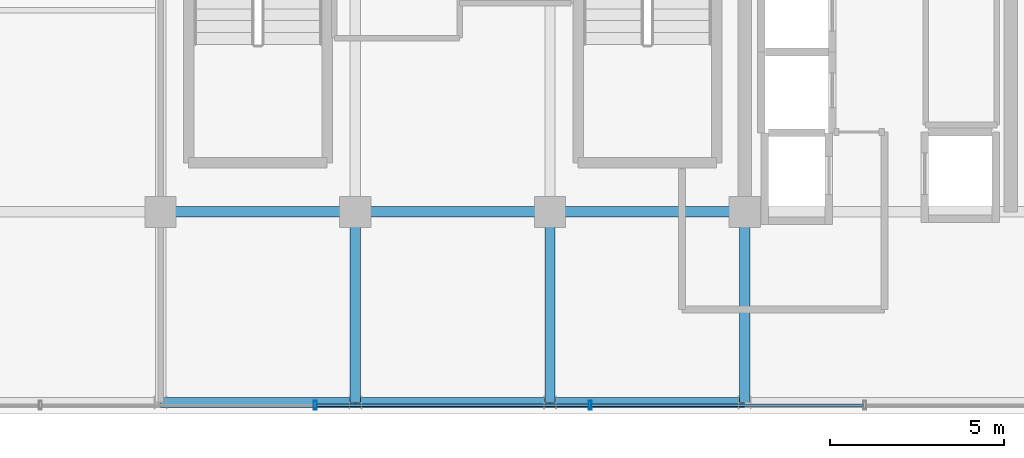
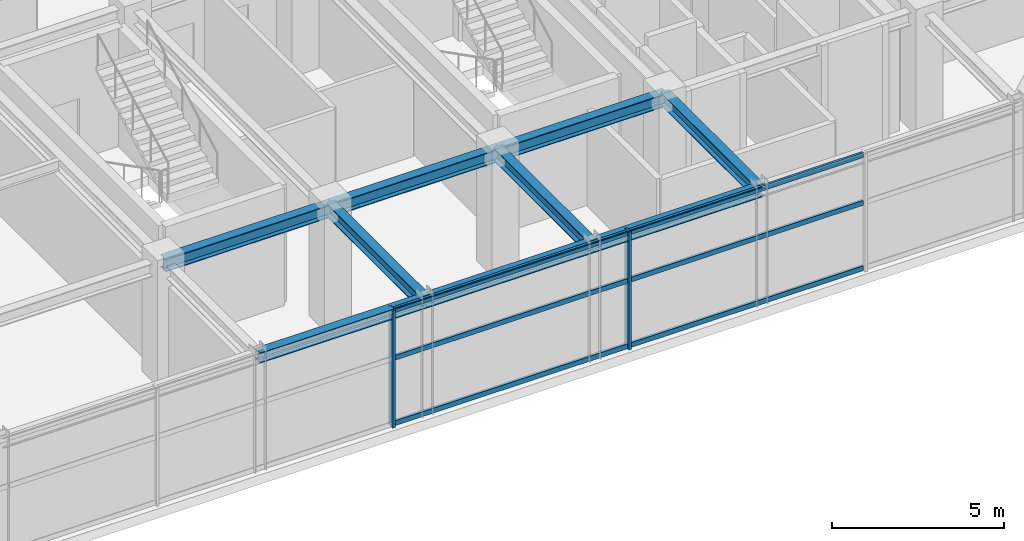
# One storey, part 6 of 20: 9 beams, 8 members, 1 element without a shape of its own.
"""IFC4 building model written with IfcOpenShell, lengths in metres."""

import ifcopenshell
import ifcopenshell.guid

model = None  # the IFC model being written
_history = None  # IfcOwnerHistory: only IFC2X3 demands one
_inside = {}  # id of a spatial element -> (the spatial element, [elements in it])
_under = {}  # id of a project, library or spatial element -> (it, [spatial elements below it])
_declared = {}  # id of a project -> (the project, [libraries it declares])
_typed = {}  # id of a type object -> (the type object, [elements of that type])
_made_of = {}  # id of a material, layer set ... -> (it, [elements and type objects made of it])


def new_model(schema):
    """Start an empty IFC model of exactly this schema.

    Asked for "IFC4X3", IfcOpenShell would pick the latest addendum, in which some entities
    have other attributes; the version numbers below select the first issue.
    IFC2X3 requires an IfcOwnerHistory on every rooted entity: one is made here for all.
    """
    global model, _history
    if schema == "IFC4X3":
        model = ifcopenshell.file(schema_version=(4, 3, 0, 0))
    else:
        model = ifcopenshell.file(schema=schema)
    _inside.clear()
    _under.clear()
    _declared.clear()
    _typed.clear()
    _made_of.clear()
    _history = None
    if model.schema == "IFC2X3":
        org = make("IfcOrganization", Name="unknown")
        user = make(
            "IfcPersonAndOrganization",
            ThePerson=make("IfcPerson", FamilyName="unknown"),
            TheOrganization=org,
        )
        app = make(
            "IfcApplication",
            ApplicationDeveloper=org,
            Version="unknown",
            ApplicationFullName="unknown",
            ApplicationIdentifier="unknown",
        )
        _history = make(
            "IfcOwnerHistory",
            OwningUser=user,
            OwningApplication=app,
            ChangeAction="ADDED",
            CreationDate=0,
        )
    return model


def make(cls, **values):
    """One entity of the class cls with the attributes given. An attribute that is None is left unset."""
    return model.create_entity(
        cls, **{name: value for name, value in values.items() if value is not None}
    )


def rooted(cls, **values):
    """An entity with a GlobalId (a new one), such as an element, a storey or a relation."""
    return make(cls, GlobalId=ifcopenshell.guid.new(), OwnerHistory=_history, **values)


def si_unit(unit_type, name, prefix=None):
    """IfcSIUnit, for example si_unit("LENGTHUNIT", "METRE", prefix="MILLI")."""
    return make("IfcSIUnit", UnitType=unit_type, Prefix=prefix, Name=name)


def assignment(units):
    """IfcUnitAssignment: the units of a project."""
    return None if units is None else make("IfcUnitAssignment", Units=units)


def point(xyz):
    """IfcCartesianPoint."""
    return None if xyz is None else make("IfcCartesianPoint", Coordinates=xyz)


def direction(xyz):
    """IfcDirection."""
    return None if xyz is None else make("IfcDirection", DirectionRatios=xyz)


def frame(location, z_axis=None, x_axis=None):
    """IfcAxis2Placement3D, a coordinate frame: its origin and axes. An axis left out is left unset."""
    return make(
        "IfcAxis2Placement3D",
        Location=point(location),
        Axis=direction(z_axis),
        RefDirection=direction(x_axis),
    )


def frame_2d(location, x_axis=None):
    """IfcAxis2Placement2D, a coordinate frame in the plane: its origin and x axis."""
    return make(
        "IfcAxis2Placement2D", Location=point(location), RefDirection=direction(x_axis)
    )


def origin():
    """The frame at (0, 0, 0) with its axes left unset."""
    return frame((0.0, 0.0, 0.0))


def origin_2d():
    """The frame at (0, 0) in the plane with its x axis left unset."""
    return frame_2d((0.0, 0.0))


def place(relative_to, where):
    """IfcLocalPlacement: puts the frame where relative to a parent placement (None: the world)."""
    return make(
        "IfcLocalPlacement", PlacementRelTo=relative_to, RelativePlacement=where
    )


def context(
    kind, dimensions, precision=None, world=None, true_north=None, identifier=None
):
    """IfcGeometricRepresentationContext, for example the 3D "Model" context."""
    return make(
        "IfcGeometricRepresentationContext",
        ContextIdentifier=identifier,
        ContextType=kind,
        CoordinateSpaceDimension=dimensions,
        Precision=precision,
        WorldCoordinateSystem=world,
        TrueNorth=true_north,
    )


def subcontext(parent, identifier, kind, view, scale=None):
    """IfcGeometricRepresentationSubContext, for example "Body" below "Model"."""
    return make(
        "IfcGeometricRepresentationSubContext",
        ContextIdentifier=identifier,
        ContextType=kind,
        ParentContext=parent,
        TargetScale=scale,
        TargetView=view,
    )


def project(units=None, contexts=None):
    """IfcProject with its units and contexts."""
    return rooted(
        "IfcProject",
        Name="project",
        RepresentationContexts=contexts,
        UnitsInContext=assignment(units),
    )


def spatial(cls, under=None, at=None, **own):
    """A site, building, storey or space (cls), placed at a placement, below another one or the project."""
    s = rooted(cls, ObjectPlacement=at, **own)
    if under is not None:
        _under.setdefault(under.id(), (under, []))[1].append(s)
    return s


def profile(cls, at=None, kind="AREA", **sizes):
    """A parametric profile (cls). Its sizes go by their IFC names, for example OverallWidth=200.0."""
    return make(cls, ProfileType=kind, Position=at, **sizes)


def hollow_rectangle(**sizes):
    """IfcRectangleHollowProfileDef."""
    return profile("IfcRectangleHollowProfileDef", **sizes)


def i_section(**sizes):
    """IfcIShapeProfileDef."""
    return profile("IfcIShapeProfileDef", **sizes)


def extrude(swept, where, along, depth):
    """IfcExtrudedAreaSolid: the profile swept, set in the frame where, extruded along a direction by depth."""
    return make(
        "IfcExtrudedAreaSolid",
        SweptArea=swept,
        Position=where,
        ExtrudedDirection=direction(along),
        Depth=depth,
    )


def shape(context_of_items, identifier, shape_type, items):
    """IfcShapeRepresentation: the items that make up one representation, for example the "Body"."""
    return make(
        "IfcShapeRepresentation",
        ContextOfItems=context_of_items,
        RepresentationIdentifier=identifier,
        RepresentationType=shape_type,
        Items=items,
    )


def source(mapping_origin, context_of_items, identifier, shape_type, items):
    """IfcRepresentationMap: a shape defined once, which mapped items show again and again."""
    return make(
        "IfcRepresentationMap",
        MappingOrigin=mapping_origin,
        MappedRepresentation=shape(context_of_items, identifier, shape_type, items),
    )


def transform(
    local_origin,
    x_axis=None,
    y_axis=None,
    z_axis=None,
    scale=None,
    scale2=None,
    scale3=None,
    uniform=True,
):
    """IfcCartesianTransformationOperator3D, or its non-uniform kind. x_axis, y_axis, z_axis: its Axis1, 2, 3."""
    if uniform:
        return make(
            "IfcCartesianTransformationOperator3D",
            Axis1=direction(x_axis),
            Axis2=direction(y_axis),
            LocalOrigin=point(local_origin),
            Scale=scale,
            Axis3=direction(z_axis),
        )
    return make(
        "IfcCartesianTransformationOperator3DnonUniform",
        Axis1=direction(x_axis),
        Axis2=direction(y_axis),
        LocalOrigin=point(local_origin),
        Scale=scale,
        Axis3=direction(z_axis),
        Scale2=scale2,
        Scale3=scale3,
    )


def mapped(mapping_source, mapping_target):
    """IfcMappedItem: shows the shape of a source again, moved by a transform."""
    return make(
        "IfcMappedItem", MappingSource=mapping_source, MappingTarget=mapping_target
    )


def material(Name=None, Category=None):
    """IfcMaterial."""
    return make("IfcMaterial", Name=Name, Category=Category)


def material_profile(
    of_material, cross_section, Name=None, Category=None, Priority=None
):
    """IfcMaterialProfile: a cross section and its material."""
    return make(
        "IfcMaterialProfile",
        Name=Name,
        Material=of_material,
        Profile=cross_section,
        Priority=Priority,
        Category=Category,
    )


def profile_set(profiles, Name=None, composite=None):
    """IfcMaterialProfileSet."""
    return make(
        "IfcMaterialProfileSet",
        Name=Name,
        MaterialProfiles=profiles,
        CompositeProfile=composite,
    )


def made_of(thing, what):
    """Note that an element or type object is made of a material, layer set ...; save() writes the relation."""
    if what is not None:
        _made_of.setdefault(what.id(), (what, []))[1].append(thing)
    return thing


def type_object(cls, material=None, **own):
    """A type object (cls), such as IfcWallType, which elements share."""
    return made_of(rooted(cls, **own), material)


def element(
    cls,
    number,
    at=None,
    inside=None,
    cuts=None,
    type_object=None,
    material=None,
    context=None,
    identifier="Body",
    shape_type=None,
    held_by="IfcProductDefinitionShape",
    body=None,
    shapes=None,
    **own,
):
    """One element of the class cls, such as IfcWall. Its Tag is "e" and its number.

    at: its placement. inside: the storey or other place that contains it. cuts: it is an
    opening in that element (IfcRelVoidsElement). A single representation is given by context,
    identifier, shape_type and body (its items); several are given by shapes. held_by: the class
    of the entity that holds the representations. save() writes the other relations.
    """
    e = rooted(cls, Tag="e%d" % number, ObjectPlacement=at, **own)
    if body is not None:
        shapes = [shape(context, identifier, shape_type, body)]
    if shapes is not None:
        e.Representation = make(held_by, Representations=shapes)
    if inside is not None:
        _inside.setdefault(inside.id(), (inside, []))[1].append(e)
    if cuts is not None:
        rooted(
            "IfcRelVoidsElement", RelatingBuildingElement=cuts, RelatedOpeningElement=e
        )
    if type_object is not None:
        _typed.setdefault(type_object.id(), (type_object, []))[1].append(e)
    return made_of(e, material)


def aggregate(whole, parts):
    """IfcRelAggregates: a whole, such as a stair, and the parts it consists of."""
    return rooted("IfcRelAggregates", RelatingObject=whole, RelatedObjects=parts)


def save(model, path):
    """Write the relations noted so far, then the file.

    IfcRelAggregates (storeys below a building ...), IfcRelContainedInSpatialStructure (elements
    in a storey), IfcRelDefinesByType, IfcRelAssociatesMaterial and IfcRelDeclares: one each for
    every whole, place, type object, material and project.
    """
    for whole, parts in _under.values():
        aggregate(whole, parts)
    for where, things in _inside.values():
        rooted(
            "IfcRelContainedInSpatialStructure",
            RelatedElements=things,
            RelatingStructure=where,
        )
    for kind, things in _typed.values():
        rooted("IfcRelDefinesByType", RelatedObjects=things, RelatingType=kind)
    for what, things in _made_of.values():
        rooted("IfcRelAssociatesMaterial", RelatedObjects=things, RelatingMaterial=what)
    for by, libraries in _declared.values():
        rooted("IfcRelDeclares", RelatingContext=by, RelatedDefinitions=libraries)
    model.write(path)


model = new_model("IFC4")

# Units and contexts
model_context = context("Model", 3, precision=1e-05, world=origin(), true_north=direction((0.0, 1.0)))
body_context = subcontext(model_context, "Body", "Model", "MODEL_VIEW")
ifc_project = project(units=[si_unit("LENGTHUNIT", "METRE"), si_unit("AREAUNIT", "SQUARE_METRE"), si_unit("VOLUMEUNIT", "CUBIC_METRE"), si_unit("PLANEANGLEUNIT", "RADIAN"), si_unit("MASSUNIT", "GRAM", prefix="KILO")], contexts=[model_context])

# Site, building, storey
site_placement = place(None, origin())
site = spatial("IfcSite", under=ifc_project, at=site_placement, CompositionType="ELEMENT")
building_placement = place(site_placement, origin())
building = spatial("IfcBuilding", under=site, at=building_placement, Name="Nahalor Promenade Grand Hotel", CompositionType="ELEMENT")
storey_placement = place(building_placement, frame((0.0, 0.0, 347.550048828125)))
storey = spatial("IfcBuildingStorey", under=building, at=storey_placement, Name="L89", CompositionType="ELEMENT", Elevation=347.550048828125)

# Beams
ifc_material_1 = material(Name="Steel S355JR", Category="steel")
ifc_material_profile_1 = material_profile(ifc_material_1, i_section(OverallWidth=0.3, OverallDepth=0.45, WebThickness=0.014, FlangeThickness=0.026, at=origin_2d()), Name="HEB 450")
ifc_profile_set_1 = profile_set([ifc_material_profile_1], Name="Steel S355JR")
beam_type_1 = type_object("IfcBeamType", Name="Beam-Girder-HEB450", PredefinedType="BEAM", material=ifc_profile_set_1)
shared_shape_1 = source(origin(), body_context, "Body", "SweptSolid", [
    extrude(i_section(OverallWidth=0.3, OverallDepth=0.45, WebThickness=0.014, FlangeThickness=0.026, at=origin_2d()), origin(), (0.0, 0.0, 1.0), 5.599853515625),
])
for number, where, z_axis, x_axis, name in (
    (1, (-8.39990234375, -17.0, 3.945068359375), (1.0, 0.0, 0.0), (0.0, 1.0, 0.0), "BM-L89-GX-0-2"),
    (2, (2.800048828125, -17.0, 3.945068359375), (1.0, 0.0, 0.0), (0.0, 1.0, 0.0), "BM-L89-GX-0-4"),
):
    element("IfcBeam", number, at=place(storey_placement, frame(where, z_axis=z_axis, x_axis=x_axis)), inside=storey, type_object=beam_type_1, Name=name, PredefinedType="BEAM", context=body_context, shape_type="MappedRepresentation", body=[
        mapped(shared_shape_1, transform((0.0, 0.0, 0.0), scale=1.0)),
    ])
shared_shape_2 = source(origin(), body_context, "Body", "SweptSolid", [
    extrude(i_section(OverallWidth=0.3, OverallDepth=0.45, WebThickness=0.014, FlangeThickness=0.026, at=origin_2d()), origin(), (0.0, 0.0, 1.0), 5.60009765625),
])
beam_1_placement = place(storey_placement, frame((-2.800048828125, -17.0, 3.945068359375), z_axis=(1.0, 0.0, 0.0), x_axis=(0.0, 1.0, 0.0)))
element("IfcBeam", 3, at=beam_1_placement, inside=storey, type_object=beam_type_1, Name="BM-L89-GX-0-3", PredefinedType="BEAM", context=body_context, shape_type="MappedRepresentation", body=[
    mapped(shared_shape_2, transform((0.0, 0.0, 0.0), scale=1.0)),
])
shared_shape_3 = source(origin(), body_context, "Body", "SweptSolid", [
    extrude(i_section(OverallWidth=0.3, OverallDepth=0.45, WebThickness=0.014, FlangeThickness=0.026, at=origin_2d()), origin(), (0.0, 0.0, 1.0), 5.47998046875),
])
for number, where, z_axis, x_axis, name in (
    (4, (-2.800048828125, -22.47998046875, 3.945068359375), (0.0, 1.0, 0.0), (-1.0, 0.0, 0.0), "BM-L89-GY-2-0"),
    (5, (2.800048828125, -22.47998046875, 3.945068359375), (0.0, 1.0, 0.0), (-1.0, 0.0, 0.0), "BM-L89-GY-3-0"),
    (6, (8.39990234375, -22.47998046875, 3.945068359375), (0.0, 1.0, 0.0), (-1.0, 0.0, 0.0), "BM-L89-GY-4-0"),
):
    element("IfcBeam", number, at=place(storey_placement, frame(where, z_axis=z_axis, x_axis=x_axis)), inside=storey, type_object=beam_type_1, Name=name, PredefinedType="BEAM", context=body_context, shape_type="MappedRepresentation", body=[
        mapped(shared_shape_3, transform((0.0, 0.0, 0.0), scale=1.0)),
    ])
ifc_material_profile_2 = material_profile(ifc_material_1, i_section(OverallWidth=0.3, OverallDepth=0.36, WebThickness=0.0125, FlangeThickness=0.0225, at=origin_2d()), Name="HEB 360")
ifc_profile_set_2 = profile_set([ifc_material_profile_2], Name="Steel S355JR")
beam_type_2 = type_object("IfcBeamType", Name="Beam-Spandrel-HEB360", PredefinedType="SPANDREL", material=ifc_profile_set_2)
shared_shape_4 = source(origin(), body_context, "Body", "SweptSolid", [
    extrude(i_section(OverallWidth=0.3, OverallDepth=0.36, WebThickness=0.0125, FlangeThickness=0.0225, at=origin_2d()), origin(), (0.0, 0.0, 1.0), 5.599853515625),
])
for number, where, z_axis, x_axis, name in (
    (7, (-8.39990234375, -22.47998046875, 3.989990234375), (1.0, 0.0, 0.0), (0.0, 1.0, 0.0), "BM-L89-SP-S-1"),
    (8, (2.800048828125, -22.47998046875, 3.989990234375), (1.0, 0.0, 0.0), (0.0, 1.0, 0.0), "BM-L89-SP-S-3"),
):
    element("IfcBeam", number, at=place(storey_placement, frame(where, z_axis=z_axis, x_axis=x_axis)), inside=storey, type_object=beam_type_2, Name=name, PredefinedType="SPANDREL", context=body_context, shape_type="MappedRepresentation", body=[
        mapped(shared_shape_4, transform((0.0, 0.0, 0.0), scale=1.0)),
    ])
shared_shape_5 = source(origin(), body_context, "Body", "SweptSolid", [
    extrude(i_section(OverallWidth=0.3, OverallDepth=0.36, WebThickness=0.0125, FlangeThickness=0.0225, at=origin_2d()), origin(), (0.0, 0.0, 1.0), 5.60009765625),
])
beam_2_placement = place(storey_placement, frame((-2.800048828125, -22.47998046875, 3.989990234375), z_axis=(1.0, 0.0, 0.0), x_axis=(0.0, 1.0, 0.0)))
element("IfcBeam", 9, at=beam_2_placement, inside=storey, type_object=beam_type_2, Name="BM-L89-SP-S-2", PredefinedType="SPANDREL", context=body_context, shape_type="MappedRepresentation", body=[
    mapped(shared_shape_5, transform((0.0, 0.0, 0.0), scale=1.0)),
])

# Curtain wall, members
ifc_material_2 = material(Name="Anodised Bronze Aluminium EN AW-6063 T6", Category="aluminium")
curtain_wall_type = type_object("IfcCurtainWallType", Name="CW5 Sky-Lobby & Observation Panoramic Curtain Wall", PredefinedType="USERDEFINED", material=ifc_material_2)
curtain_wall_placement = place(storey_placement, origin())
curtain_wall = element("IfcCurtainWall", 10, at=curtain_wall_placement, inside=storey, type_object=curtain_wall_type, Name="L89 Curtain Wall CW-L89-S-1", ObjectType="UNITISED_CURTAIN_WALL", PredefinedType="USERDEFINED")
ifc_material_profile_3 = material_profile(ifc_material_2, hollow_rectangle(XDim=0.085, YDim=0.25, WallThickness=0.006, at=origin_2d()), Name="CWM 85x250x6")
ifc_profile_set_3 = profile_set([ifc_material_profile_3], Name="Anodised Bronze Aluminium EN AW-6063 T6")
member_type_1 = type_object("IfcMemberType", Name="CWM5 Panoramic Deep Mullion 85x250", PredefinedType="MULLION", material=ifc_profile_set_3)
shared_shape_6 = source(origin(), body_context, "Body", "SweptSolid", [
    extrude(hollow_rectangle(XDim=0.085, YDim=0.25, WallThickness=0.006, at=origin_2d()), origin(), (0.0, 0.0, 1.0), 4.169921875),
])
member_1_placement = place(storey_placement, frame((-3.951904296875, -22.56005859375, 0.0), z_axis=(0.0, 0.0, 1.0), x_axis=(1.0, 0.0, 0.0)))
member_1 = element("IfcMember", 11, at=member_1_placement, type_object=member_type_1, Name="CW-L89-S-1 Mullion 2", PredefinedType="MULLION", context=body_context, shape_type="MappedRepresentation", body=[
    mapped(shared_shape_6, transform((0.0, 0.0, 0.0), scale=1.0)),
])
member_2_placement = place(storey_placement, frame((3.951904296875, -22.56005859375, 0.0), z_axis=(0.0, 0.0, 1.0), x_axis=(1.0, 0.0, 0.0)))
member_2 = element("IfcMember", 12, at=member_2_placement, type_object=member_type_1, Name="CW-L89-S-1 Mullion 3", PredefinedType="MULLION", context=body_context, shape_type="MappedRepresentation", body=[
    mapped(shared_shape_6, transform((0.0, 0.0, 0.0), scale=1.0)),
])
ifc_material_profile_4 = material_profile(ifc_material_2, hollow_rectangle(XDim=0.085, YDim=0.17, WallThickness=0.005, at=origin_2d()), Name="CWT 85x170x5")
ifc_profile_set_4 = profile_set([ifc_material_profile_4], Name="Anodised Bronze Aluminium EN AW-6063 T6")
member_type_2 = type_object("IfcMemberType", Name="CWT5 Panoramic Transom 85x170", PredefinedType="USERDEFINED", material=ifc_profile_set_4)
shared_shape_7 = source(origin(), body_context, "Body", "SweptSolid", [
    extrude(hollow_rectangle(XDim=0.085, YDim=0.17, WallThickness=0.005, at=origin_2d()), origin(), (0.0, 0.0, 1.0), 7.819091796875),
])
member_3_placement = place(storey_placement, frame((3.994384765625, -22.56005859375, 0.0849609375), z_axis=(1.0, 0.0, 0.0), x_axis=(0.0, 1.0, 0.0)))
member_3 = element("IfcMember", 13, at=member_3_placement, type_object=member_type_2, Name="CW-L89-S-1 Transom 3-0", ObjectType="TRANSOM", PredefinedType="USERDEFINED", context=body_context, shape_type="MappedRepresentation", body=[
    mapped(shared_shape_7, transform((0.0, 0.0, 0.0), scale=1.0)),
])
member_4_placement = place(storey_placement, frame((3.994384765625, -22.56005859375, 2.39990234375), z_axis=(1.0, 0.0, 0.0), x_axis=(0.0, 1.0, 0.0)))
member_4 = element("IfcMember", 14, at=member_4_placement, type_object=member_type_2, Name="CW-L89-S-1 Transom 3-1", ObjectType="TRANSOM", PredefinedType="USERDEFINED", context=body_context, shape_type="MappedRepresentation", body=[
    mapped(shared_shape_7, transform((0.0, 0.0, 0.0), scale=1.0)),
])
member_5_placement = place(storey_placement, frame((3.994384765625, -22.56005859375, 4.0849609375), z_axis=(1.0, 0.0, 0.0), x_axis=(0.0, 1.0, 0.0)))
member_5 = element("IfcMember", 15, at=member_5_placement, type_object=member_type_2, Name="CW-L89-S-1 Transom 3-2", ObjectType="TRANSOM", PredefinedType="USERDEFINED", context=body_context, shape_type="MappedRepresentation", body=[
    mapped(shared_shape_7, transform((0.0, 0.0, 0.0), scale=1.0)),
])
shared_shape_8 = source(origin(), body_context, "Body", "SweptSolid", [
    extrude(hollow_rectangle(XDim=0.085, YDim=0.17, WallThickness=0.005, at=origin_2d()), origin(), (0.0, 0.0, 1.0), 7.81884765625),
])
member_6_placement = place(storey_placement, frame((-3.909423828125, -22.56005859375, 0.0849609375), z_axis=(1.0, 0.0, 0.0), x_axis=(0.0, 1.0, 0.0)))
member_6 = element("IfcMember", 16, at=member_6_placement, type_object=member_type_2, Name="CW-L89-S-1 Transom 2-0", ObjectType="TRANSOM", PredefinedType="USERDEFINED", context=body_context, shape_type="MappedRepresentation", body=[
    mapped(shared_shape_8, transform((0.0, 0.0, 0.0), scale=1.0)),
])
member_7_placement = place(storey_placement, frame((-3.909423828125, -22.56005859375, 2.39990234375), z_axis=(1.0, 0.0, 0.0), x_axis=(0.0, 1.0, 0.0)))
member_7 = element("IfcMember", 17, at=member_7_placement, type_object=member_type_2, Name="CW-L89-S-1 Transom 2-1", ObjectType="TRANSOM", PredefinedType="USERDEFINED", context=body_context, shape_type="MappedRepresentation", body=[
    mapped(shared_shape_8, transform((0.0, 0.0, 0.0), scale=1.0)),
])
member_8_placement = place(storey_placement, frame((-3.909423828125, -22.56005859375, 4.0849609375), z_axis=(1.0, 0.0, 0.0), x_axis=(0.0, 1.0, 0.0)))
member_8 = element("IfcMember", 18, at=member_8_placement, type_object=member_type_2, Name="CW-L89-S-1 Transom 2-2", ObjectType="TRANSOM", PredefinedType="USERDEFINED", context=body_context, shape_type="MappedRepresentation", body=[
    mapped(shared_shape_8, transform((0.0, 0.0, 0.0), scale=1.0)),
])
aggregate(curtain_wall, [member_1, member_2, member_6, member_7, member_8, member_3, member_4, member_5])

save(model, "model.ifc")
